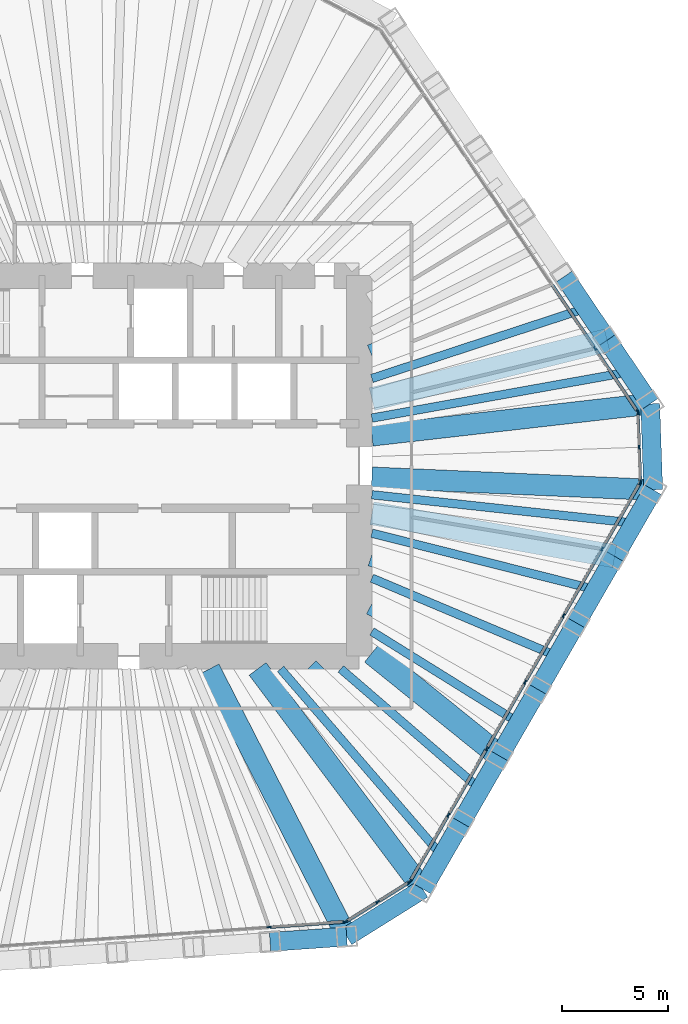
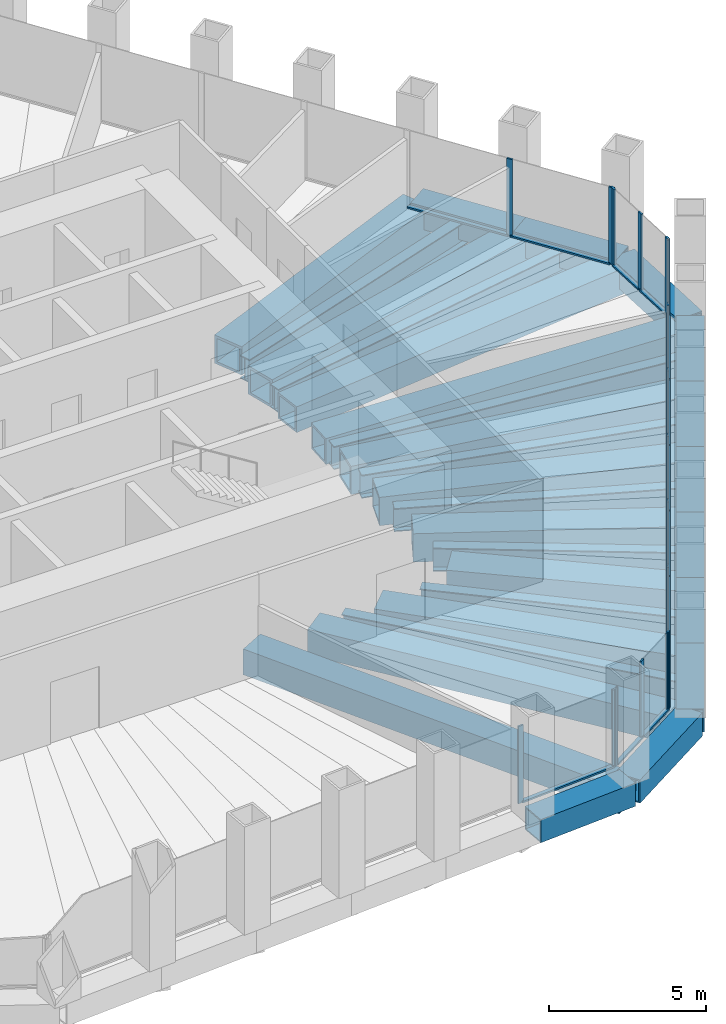
# One storey, part 4 of 12: 30 beams, 30 members, 5 elements without a shape of their own.
"""IFC4 building model written with IfcOpenShell, lengths in metres."""

from ifc_helpers import new_model, si_unit, direction, frame, origin, origin_2d, place, context, subcontext, project, spatial, rectangle, hollow_rectangle, i_section, extrude, material, material_profile, profile_set, type_object, element, aggregate, save


model = new_model("IFC4")

# Units and contexts
model_context = context("Model", 3, precision=1e-05, world=origin(), true_north=direction((0.0, 1.0)))
body_context = subcontext(model_context, "Body", "Model", "MODEL_VIEW")
ifc_project = project(units=[si_unit("LENGTHUNIT", "METRE"), si_unit("AREAUNIT", "SQUARE_METRE"), si_unit("VOLUMEUNIT", "CUBIC_METRE"), si_unit("PLANEANGLEUNIT", "RADIAN"), si_unit("MASSUNIT", "GRAM", prefix="KILO")], contexts=[model_context])

# Site, building, storey
site_placement = place(None, origin())
site = spatial("IfcSite", under=ifc_project, at=site_placement, CompositionType="ELEMENT")
building_placement = place(site_placement, origin())
building = spatial("IfcBuilding", under=site, at=building_placement, Name="Qingtian Harvest Tower", CompositionType="ELEMENT")
storey_placement = place(building_placement, frame((0.0, 0.0, 251.800048828125)))
storey = spatial("IfcBuildingStorey", under=building, at=storey_placement, Name="L55", CompositionType="ELEMENT", Elevation=251.800048828125)

# Beams
ifc_material_1 = material(Name="Steel SN490B", Category="steel")
ifc_material_profile_1 = material_profile(ifc_material_1, i_section(OverallWidth=0.39990234375, OverallDepth=0.89990234375, WebThickness=0.01904296875, FlangeThickness=0.035888671875, at=origin_2d()), Name="H900x400x19x36")
ifc_profile_set_1 = profile_set([ifc_material_profile_1], Name="Steel SN490B")
beam_type_1 = type_object("IfcBeamType", Name="Floor joist J4 H900x400x19x36", PredefinedType="JOIST", material=ifc_profile_set_1)
beam_1_placement = place(storey_placement, frame((22.71484375, 7.454833984375, -0.6201171875), z_axis=(-0.950138567513, -0.311828001508, 0.0), x_axis=(0.311828001508, -0.950138567513, 0.0)))
element("IfcBeam", 1, at=beam_1_placement, inside=storey, type_object=beam_type_1, Name="Floor joist J4 NE4", PredefinedType="JOIST", context=body_context, shape_type="SweptSolid", body=[
    extrude(i_section(OverallWidth=0.39990234375, OverallDepth=0.89990234375, WebThickness=0.01904296875, FlangeThickness=0.035888671875, at=origin_2d()), origin(), (0.0, 0.0, 1.0), 10.6455078125),
])
beam_2_placement = place(storey_placement, frame((24.74658203125, 4.4423828125, -0.6201171875), z_axis=(-0.98426723745, -0.176686177393, 0.0), x_axis=(0.176686177393, -0.98426723745, 0.0)))
element("IfcBeam", 2, at=beam_2_placement, inside=storey, type_object=beam_type_1, Name="Floor joist J4 NE5", PredefinedType="JOIST", context=body_context, shape_type="SweptSolid", body=[
    extrude(i_section(OverallWidth=0.39990234375, OverallDepth=0.89990234375, WebThickness=0.01904296875, FlangeThickness=0.035888671875, at=origin_2d()), origin(), (0.0, 0.0, 1.0), 12.340576171875),
])
beam_3_placement = place(storey_placement, frame((24.99609375, -2.705322265625, -0.6201171875), z_axis=(-0.994194656298, 0.107596400448, 0.0), x_axis=(-0.107596400448, -0.994194656298, 0.0)))
element("IfcBeam", 3, at=beam_3_placement, inside=storey, type_object=beam_type_1, Name="Floor joist J4 SE0", PredefinedType="JOIST", context=body_context, shape_type="SweptSolid", body=[
    extrude(i_section(OverallWidth=0.39990234375, OverallDepth=0.89990234375, WebThickness=0.01904296875, FlangeThickness=0.035888671875, at=origin_2d()), origin(), (0.0, 0.0, 1.0), 12.46826171875),
])
beam_4_placement = place(storey_placement, frame((23.179443359375, -5.85205078125, -0.6201171875), z_axis=(-0.969577887027, 0.244783007963, 0.0), x_axis=(-0.244783007963, -0.969577887027, 0.0)))
element("IfcBeam", 4, at=beam_4_placement, inside=storey, type_object=beam_type_1, Name="Floor joist J4 SE1", PredefinedType="JOIST", context=body_context, shape_type="SweptSolid", body=[
    extrude(i_section(OverallWidth=0.39990234375, OverallDepth=0.89990234375, WebThickness=0.01904296875, FlangeThickness=0.035888671875, at=origin_2d()), origin(), (0.0, 0.0, 1.0), 10.911376953125),
])
beam_5_placement = place(storey_placement, frame((21.362548828125, -8.998779296875, -0.6201171875), z_axis=(-0.921571079516, 0.388209666803, 0.0), x_axis=(-0.388209666803, -0.921571079516, 0.0)))
element("IfcBeam", 5, at=beam_5_placement, inside=storey, type_object=beam_type_1, Name="Floor joist J4 SE2", PredefinedType="JOIST", context=body_context, shape_type="SweptSolid", body=[
    extrude(i_section(OverallWidth=0.39990234375, OverallDepth=0.89990234375, WebThickness=0.01904296875, FlangeThickness=0.035888671875, at=origin_2d()), origin(), (0.0, 0.0, 1.0), 9.508056640625),
])
beam_6_placement = place(storey_placement, frame((19.5458984375, -12.1455078125, -0.6201171875), z_axis=(-0.849380822906, 0.527780463526, 0.0), x_axis=(-0.527780463526, -0.849380822906, 0.0)))
element("IfcBeam", 6, at=beam_6_placement, inside=storey, type_object=beam_type_1, Name="Floor joist J4 SE3", PredefinedType="JOIST", context=body_context, shape_type="SweptSolid", body=[
    extrude(i_section(OverallWidth=0.39990234375, OverallDepth=0.89990234375, WebThickness=0.01904296875, FlangeThickness=0.035888671875, at=origin_2d()), origin(), (0.0, 0.0, 1.0), 8.177490234375),
])
beam_7_placement = place(storey_placement, frame((17.72900390625, -15.292236328125, -0.6201171875), z_axis=(-0.757237954988, 0.653139096613, 0.0), x_axis=(-0.653139096613, -0.757237954988, 0.0)))
element("IfcBeam", 7, at=beam_7_placement, inside=storey, type_object=beam_type_1, Name="Floor joist J4 SE4", PredefinedType="JOIST", context=body_context, shape_type="SweptSolid", body=[
    extrude(i_section(OverallWidth=0.39990234375, OverallDepth=0.89990234375, WebThickness=0.01904296875, FlangeThickness=0.035888671875, at=origin_2d()), origin(), (0.0, 0.0, 1.0), 8.715087890625),
])
beam_8_placement = place(storey_placement, frame((15.912353515625, -18.43896484375, -0.6201171875), z_axis=(-0.653343257086, 0.757061812813, 0.0), x_axis=(-0.757061812813, -0.653343257086, 0.0)))
element("IfcBeam", 8, at=beam_8_placement, inside=storey, type_object=beam_type_1, Name="Floor joist J4 SE5", PredefinedType="JOIST", context=body_context, shape_type="SweptSolid", body=[
    extrude(i_section(OverallWidth=0.39990234375, OverallDepth=0.89990234375, WebThickness=0.01904296875, FlangeThickness=0.035888671875, at=origin_2d()), origin(), (0.0, 0.0, 1.0), 11.67529296875),
])

# Curtain wall, members
ifc_material_2 = material(Name="Bronze-anodised aluminium curtain wall", Category="aluminium")
curtain_wall_type = type_object("IfcCurtainWallType", Name="Curtain wall CW4 office", PredefinedType="USERDEFINED", material=ifc_material_2)
curtain_wall_1_placement = place(storey_placement, origin())
curtain_wall_1 = element("IfcCurtainWall", 9, at=curtain_wall_1_placement, inside=storey, type_object=curtain_wall_type, Name="Curtain wall CW4 L55 NE0-5", ObjectType="RECESSED CURTAIN WALL", PredefinedType="USERDEFINED")
ifc_material_3 = material(Name="Bronze-anodised aluminium mullion", Category="aluminium")
ifc_material_profile_2 = material_profile(ifc_material_3, rectangle(XDim=0.06494140625, YDim=0.199951171875, at=origin_2d()), Name="AL 65x200")
ifc_profile_set_2 = profile_set([ifc_material_profile_2], Name="Bronze-anodised aluminium mullion")
member_type_1 = type_object("IfcMemberType", Name="Mullion CWM 65x200", PredefinedType="MULLION", material=ifc_profile_set_2)
member_1_placement = place(storey_placement, frame((23.150390625, 5.55712890625, 0.0), z_axis=(0.0, 0.0, 1.0), x_axis=(0.829037572555, 0.559192903471, 0.0)))
member_1 = element("IfcMember", 10, at=member_1_placement, type_object=member_type_1, Name="CW4 mullion 6", PredefinedType="MULLION", context=body_context, shape_type="SweptSolid", body=[
    extrude(rectangle(XDim=0.06494140625, YDim=0.199951171875, at=origin_2d()), origin(), (0.0, 0.0, 1.0), 3.0),
])
member_2_placement = place(storey_placement, frame((25.1640625, 2.57177734375, 0.0), z_axis=(0.0, 0.0, 1.0), x_axis=(0.829037572555, 0.559192903471, 0.0)))
member_2 = element("IfcMember", 11, at=member_2_placement, type_object=member_type_1, Name="CW4 mullion 7", PredefinedType="MULLION", context=body_context, shape_type="SweptSolid", body=[
    extrude(rectangle(XDim=0.06494140625, YDim=0.199951171875, at=origin_2d()), origin(), (0.0, 0.0, 1.0), 3.0),
])

curtain_wall_2_placement = place(storey_placement, origin())
curtain_wall_2 = element("IfcCurtainWall", 12, at=curtain_wall_2_placement, inside=storey, type_object=curtain_wall_type, Name="Curtain wall CW4 L55 NEC", ObjectType="RECESSED CURTAIN WALL", PredefinedType="USERDEFINED")
member_3_placement = place(storey_placement, frame((25.183349609375, 2.51220703125, 0.0), z_axis=(0.0, 0.0, 1.0), x_axis=(0.999390827019, 0.034899496703, 0.0)))
member_3 = element("IfcMember", 13, at=member_3_placement, type_object=member_type_1, Name="CW4 mullion 1", PredefinedType="MULLION", context=body_context, shape_type="SweptSolid", body=[
    extrude(rectangle(XDim=0.06494140625, YDim=0.199951171875, at=origin_2d()), origin(), (0.0, 0.0, 1.0), 3.0),
])
member_4_placement = place(storey_placement, frame((25.240234375, 0.88134765625, 0.0), z_axis=(0.0, 0.0, 1.0), x_axis=(0.999390827019, 0.034899496703, 0.0)))
member_4 = element("IfcMember", 14, at=member_4_placement, type_object=member_type_1, Name="CW4 mullion 2", PredefinedType="MULLION", context=body_context, shape_type="SweptSolid", body=[
    extrude(rectangle(XDim=0.06494140625, YDim=0.199951171875, at=origin_2d()), origin(), (0.0, 0.0, 1.0), 3.0),
])
member_5_placement = place(storey_placement, frame((25.297119140625, -0.74951171875, 0.0), z_axis=(0.0, 0.0, 1.0), x_axis=(0.999390827019, 0.034899496703, 0.0)))
member_5 = element("IfcMember", 15, at=member_5_placement, type_object=member_type_1, Name="CW4 mullion 3", PredefinedType="MULLION", context=body_context, shape_type="SweptSolid", body=[
    extrude(rectangle(XDim=0.06494140625, YDim=0.199951171875, at=origin_2d()), origin(), (0.0, 0.0, 1.0), 3.0),
])

curtain_wall_3_placement = place(storey_placement, origin())
curtain_wall_3 = element("IfcCurtainWall", 16, at=curtain_wall_3_placement, inside=storey, type_object=curtain_wall_type, Name="Curtain wall CW4 L55 SE0-5", ObjectType="RECESSED CURTAIN WALL", PredefinedType="USERDEFINED")
member_6_placement = place(storey_placement, frame((25.2822265625, -0.81005859375, 0.0), z_axis=(0.0, 0.0, 1.0), x_axis=(0.866025403784, -0.5, 0.0)))
member_6 = element("IfcMember", 17, at=member_6_placement, type_object=member_type_1, Name="CW4 mullion 1", PredefinedType="MULLION", context=body_context, shape_type="SweptSolid", body=[
    extrude(rectangle(XDim=0.06494140625, YDim=0.199951171875, at=origin_2d()), origin(), (0.0, 0.0, 1.0), 3.0),
])
member_7_placement = place(storey_placement, frame((23.481689453125, -3.9287109375, 0.0), z_axis=(0.0, 0.0, 1.0), x_axis=(0.866025403784, -0.5, 0.0)))
member_7 = element("IfcMember", 18, at=member_7_placement, type_object=member_type_1, Name="CW4 mullion 2", PredefinedType="MULLION", context=body_context, shape_type="SweptSolid", body=[
    extrude(rectangle(XDim=0.06494140625, YDim=0.199951171875, at=origin_2d()), origin(), (0.0, 0.0, 1.0), 3.0),
])
member_8_placement = place(storey_placement, frame((21.664794921875, -7.075439453125, 0.0), z_axis=(0.0, 0.0, 1.0), x_axis=(0.866025403784, -0.5, 0.0)))
member_8 = element("IfcMember", 19, at=member_8_placement, type_object=member_type_1, Name="CW4 mullion 3", PredefinedType="MULLION", context=body_context, shape_type="SweptSolid", body=[
    extrude(rectangle(XDim=0.06494140625, YDim=0.199951171875, at=origin_2d()), origin(), (0.0, 0.0, 1.0), 3.0),
])
member_9_placement = place(storey_placement, frame((19.84814453125, -10.22216796875, 0.0), z_axis=(0.0, 0.0, 1.0), x_axis=(0.866025403784, -0.5, 0.0)))
member_9 = element("IfcMember", 20, at=member_9_placement, type_object=member_type_1, Name="CW4 mullion 4", PredefinedType="MULLION", context=body_context, shape_type="SweptSolid", body=[
    extrude(rectangle(XDim=0.06494140625, YDim=0.199951171875, at=origin_2d()), origin(), (0.0, 0.0, 1.0), 3.0),
])
member_10_placement = place(storey_placement, frame((18.03125, -13.368896484375, 0.0), z_axis=(0.0, 0.0, 1.0), x_axis=(0.866025403784, -0.5, 0.0)))
member_10 = element("IfcMember", 21, at=member_10_placement, type_object=member_type_1, Name="CW4 mullion 5", PredefinedType="MULLION", context=body_context, shape_type="SweptSolid", body=[
    extrude(rectangle(XDim=0.06494140625, YDim=0.199951171875, at=origin_2d()), origin(), (0.0, 0.0, 1.0), 3.0),
])
member_11_placement = place(storey_placement, frame((16.214599609375, -16.515625, 0.0), z_axis=(0.0, 0.0, 1.0), x_axis=(0.866025403784, -0.5, 0.0)))
member_11 = element("IfcMember", 22, at=member_11_placement, type_object=member_type_1, Name="CW4 mullion 6", PredefinedType="MULLION", context=body_context, shape_type="SweptSolid", body=[
    extrude(rectangle(XDim=0.06494140625, YDim=0.199951171875, at=origin_2d()), origin(), (0.0, 0.0, 1.0), 3.0),
])
member_12_placement = place(storey_placement, frame((14.4140625, -19.63427734375, 0.0), z_axis=(0.0, 0.0, 1.0), x_axis=(0.866025403784, -0.5, 0.0)))
member_12 = element("IfcMember", 23, at=member_12_placement, type_object=member_type_1, Name="CW4 mullion 7", PredefinedType="MULLION", context=body_context, shape_type="SweptSolid", body=[
    extrude(rectangle(XDim=0.06494140625, YDim=0.199951171875, at=origin_2d()), origin(), (0.0, 0.0, 1.0), 3.0),
])

curtain_wall_4_placement = place(storey_placement, origin())
curtain_wall_4 = element("IfcCurtainWall", 24, at=curtain_wall_4_placement, inside=storey, type_object=curtain_wall_type, Name="Curtain wall CW4 L55 SEC", ObjectType="RECESSED CURTAIN WALL", PredefinedType="USERDEFINED")
member_13_placement = place(storey_placement, frame((14.3701171875, -19.6796875, 0.0), z_axis=(0.0, 0.0, 1.0), x_axis=(0.529919264233, -0.848048096156, 0.0)))
member_13 = element("IfcMember", 25, at=member_13_placement, type_object=member_type_1, Name="CW4 mullion 1", PredefinedType="MULLION", context=body_context, shape_type="SweptSolid", body=[
    extrude(rectangle(XDim=0.06494140625, YDim=0.199951171875, at=origin_2d()), origin(), (0.0, 0.0, 1.0), 3.0),
])
member_14_placement = place(storey_placement, frame((12.87939453125, -20.611328125, 0.0), z_axis=(0.0, 0.0, 1.0), x_axis=(0.529919264233, -0.848048096156, 0.0)))
member_14 = element("IfcMember", 26, at=member_14_placement, type_object=member_type_1, Name="CW4 mullion 2", PredefinedType="MULLION", context=body_context, shape_type="SweptSolid", body=[
    extrude(rectangle(XDim=0.06494140625, YDim=0.199951171875, at=origin_2d()), origin(), (0.0, 0.0, 1.0), 3.0),
])
member_15_placement = place(storey_placement, frame((11.388427734375, -21.542724609375, 0.0), z_axis=(0.0, 0.0, 1.0), x_axis=(0.529919264233, -0.848048096156, 0.0)))
member_15 = element("IfcMember", 27, at=member_15_placement, type_object=member_type_1, Name="CW4 mullion 3", PredefinedType="MULLION", context=body_context, shape_type="SweptSolid", body=[
    extrude(rectangle(XDim=0.06494140625, YDim=0.199951171875, at=origin_2d()), origin(), (0.0, 0.0, 1.0), 3.0),
])

curtain_wall_5_placement = place(storey_placement, origin())
curtain_wall_5 = element("IfcCurtainWall", 28, at=curtain_wall_5_placement, inside=storey, type_object=curtain_wall_type, Name="Curtain wall CW4 L55 S0-5", ObjectType="RECESSED CURTAIN WALL", PredefinedType="USERDEFINED")
member_16_placement = place(storey_placement, frame((11.32861328125, -21.562255859375, 0.0), z_axis=(0.0, 0.0, 1.0), x_axis=(0.069756473744, -0.99756405026, 0.0)))
member_16 = element("IfcMember", 29, at=member_16_placement, type_object=member_type_1, Name="CW4 mullion 1", PredefinedType="MULLION", context=body_context, shape_type="SweptSolid", body=[
    extrude(rectangle(XDim=0.06494140625, YDim=0.199951171875, at=origin_2d()), origin(), (0.0, 0.0, 1.0), 3.0),
])
member_17_placement = place(storey_placement, frame((7.736328125, -21.8134765625, 0.0), z_axis=(0.0, 0.0, 1.0), x_axis=(0.069756473744, -0.99756405026, 0.0)))
member_17 = element("IfcMember", 30, at=member_17_placement, type_object=member_type_1, Name="CW4 mullion 2", PredefinedType="MULLION", context=body_context, shape_type="SweptSolid", body=[
    extrude(rectangle(XDim=0.06494140625, YDim=0.199951171875, at=origin_2d()), origin(), (0.0, 0.0, 1.0), 3.0),
])

# Beams
ifc_material_4 = material(Name="Steel SM570MC", Category="steel")
ifc_material_profile_3 = material_profile(ifc_material_4, hollow_rectangle(XDim=1.0, YDim=1.0, WallThickness=0.080078125, at=origin_2d()), Name="BOX1000x1000x80")
ifc_profile_set_3 = profile_set([ifc_material_profile_3], Name="Steel SM570MC")
beam_type_2 = type_object("IfcBeamType", Name="Transfer corner beam FB11 BOX1000x1000x80", PredefinedType="BEAM", material=ifc_profile_set_3)
beam_9_placement = place(storey_placement, frame((25.762451171875, 2.936279296875, -0.670166015625), z_axis=(-0.993566901619, -0.113246686522, 0.0), x_axis=(0.113246686522, -0.993566901619, 0.0)))
element("IfcBeam", 31, at=beam_9_placement, inside=storey, type_object=beam_type_2, Name="Floor beam FB11 NE6", PredefinedType="BEAM", context=body_context, shape_type="SweptSolid", body=[
    extrude(hollow_rectangle(XDim=1.0, YDim=1.0, WallThickness=0.080078125, at=origin_2d()), origin(), (0.0, 0.0, 1.0), 13.24755859375),
])
beam_10_placement = place(storey_placement, frame((25.904541015625, -1.1318359375, -0.670166015625), z_axis=(-0.999046865424, 0.043650437408, 0.0), x_axis=(-0.043650437408, -0.999046865424, 0.0)))
element("IfcBeam", 32, at=beam_10_placement, inside=storey, type_object=beam_type_2, Name="Floor beam FB11 SE0", PredefinedType="BEAM", context=body_context, shape_type="SweptSolid", body=[
    extrude(hollow_rectangle(XDim=1.0, YDim=1.0, WallThickness=0.080078125, at=origin_2d()), origin(), (0.0, 0.0, 1.0), 13.317138671875),
])
beam_11_placement = place(storey_placement, frame((15.00390625, -20.012451171875, -0.670166015625), z_axis=(-0.599858913609, 0.800105795357, 0.0), x_axis=(-0.800105795357, -0.599858913609, 0.0)))
element("IfcBeam", 33, at=beam_11_placement, inside=storey, type_object=beam_type_2, Name="Floor beam FB11 SE6", PredefinedType="BEAM", context=body_context, shape_type="SweptSolid", body=[
    extrude(hollow_rectangle(XDim=1.0, YDim=1.0, WallThickness=0.080078125, at=origin_2d()), origin(), (0.0, 0.0, 1.0), 13.013671875),
])
beam_12_placement = place(storey_placement, frame((11.40966796875, -22.25830078125, -0.670166015625), z_axis=(-0.456157396608, 0.889899111989, 0.0), x_axis=(-0.889899111989, -0.456157396608, 0.0)))
element("IfcBeam", 34, at=beam_12_placement, inside=storey, type_object=beam_type_2, Name="Floor beam FB11 S0", PredefinedType="BEAM", context=body_context, shape_type="SweptSolid", body=[
    extrude(hollow_rectangle(XDim=1.0, YDim=1.0, WallThickness=0.080078125, at=origin_2d()), origin(), (0.0, 0.0, 1.0), 14.224365234375),
])
ifc_material_5 = material(Name="Steel SM570MC", Category="steel")
ifc_material_profile_4 = material_profile(ifc_material_5, hollow_rectangle(XDim=1.10009765625, YDim=1.10009765625, WallThickness=0.10009765625, at=origin_2d()), Name="BOX1100x1100x100")
ifc_profile_set_4 = profile_set([ifc_material_profile_4], Name="Steel SM570MC")
beam_type_3 = type_object("IfcBeamType", Name="Transfer floor beam FB9 BOX1100x1100x100", PredefinedType="BEAM", material=ifc_profile_set_4)
beam_13_placement = place(storey_placement, frame((21.69873046875, 8.9609375, -0.719970703125), z_axis=(-0.924281590361, -0.381711332973, 0.0), x_axis=(0.381711332973, -0.924281590361, 0.0)))
element("IfcBeam", 35, at=beam_13_placement, inside=storey, type_object=beam_type_3, Name="Floor beam FB9 NE4", PredefinedType="BEAM", context=body_context, shape_type="SweptSolid", body=[
    extrude(hollow_rectangle(XDim=1.10009765625, YDim=1.10009765625, WallThickness=0.10009765625, at=origin_2d()), origin(), (0.0, 0.0, 1.0), 9.843994140625),
])
beam_14_placement = place(storey_placement, frame((23.730712890625, 5.948486328125, -0.719970703125), z_axis=(-0.969990876487, -0.243141315972, 0.0), x_axis=(0.243141315972, -0.969990876487, 0.0)))
element("IfcBeam", 36, at=beam_14_placement, inside=storey, type_object=beam_type_3, Name="Floor beam FB9 NE5", PredefinedType="BEAM", context=body_context, shape_type="SweptSolid", body=[
    extrude(hollow_rectangle(XDim=1.10009765625, YDim=1.10009765625, WallThickness=0.10009765625, at=origin_2d()), origin(), (0.0, 0.0, 1.0), 11.474853515625),
])
beam_15_placement = place(storey_placement, frame((24.087890625, -4.27880859375, -0.719970703125), z_axis=(-0.98458469654, 0.174908477034, 0.0), x_axis=(-0.174908477034, -0.98458469654, 0.0)))
element("IfcBeam", 37, at=beam_15_placement, inside=storey, type_object=beam_type_3, Name="Floor beam FB9 SE1", PredefinedType="BEAM", context=body_context, shape_type="SweptSolid", body=[
    extrude(hollow_rectangle(XDim=1.10009765625, YDim=1.10009765625, WallThickness=0.10009765625, at=origin_2d()), origin(), (0.0, 0.0, 1.0), 11.667724609375),
])
beam_16_placement = place(storey_placement, frame((22.27099609375, -7.425537109375, -0.719970703125), z_axis=(-0.948654555734, 0.316313979908, 0.0), x_axis=(-0.316313979908, -0.948654555734, 0.0)))
element("IfcBeam", 38, at=beam_16_placement, inside=storey, type_object=beam_type_3, Name="Floor beam FB9 SE2", PredefinedType="BEAM", context=body_context, shape_type="SweptSolid", body=[
    extrude(hollow_rectangle(XDim=1.10009765625, YDim=1.10009765625, WallThickness=0.10009765625, at=origin_2d()), origin(), (0.0, 0.0, 1.0), 10.1943359375),
])
beam_17_placement = place(storey_placement, frame((20.454345703125, -10.572265625, -0.719970703125), z_axis=(-0.888343501027, 0.459179511938, 0.0), x_axis=(-0.459179511938, -0.888343501027, 0.0)))
element("IfcBeam", 39, at=beam_17_placement, inside=storey, type_object=beam_type_3, Name="Floor beam FB9 SE3", PredefinedType="BEAM", context=body_context, shape_type="SweptSolid", body=[
    extrude(hollow_rectangle(XDim=1.10009765625, YDim=1.10009765625, WallThickness=0.10009765625, at=origin_2d()), origin(), (0.0, 0.0, 1.0), 8.841552734375),
])
beam_18_placement = place(storey_placement, frame((18.637451171875, -13.718994140625, -0.719970703125), z_axis=(-0.77840907003, 0.62775737327, 0.0), x_axis=(-0.62775737327, -0.77840907003, 0.0)))
element("IfcBeam", 40, at=beam_18_placement, inside=storey, type_object=beam_type_3, Name="Floor beam FB9 SE4", PredefinedType="BEAM", context=body_context, shape_type="SweptSolid", body=[
    extrude(hollow_rectangle(XDim=1.10009765625, YDim=1.10009765625, WallThickness=0.10009765625, at=origin_2d()), origin(), (0.0, 0.0, 1.0), 7.756103515625),
])
beam_19_placement = place(storey_placement, frame((16.82080078125, -16.86572265625, -0.719970703125), z_axis=(-0.70616637797, 0.708045935392, 0.0), x_axis=(-0.708045935392, -0.70616637797, 0.0)))
element("IfcBeam", 41, at=beam_19_placement, inside=storey, type_object=beam_type_3, Name="Floor beam FB9 SE5", PredefinedType="BEAM", context=body_context, shape_type="SweptSolid", body=[
    extrude(hollow_rectangle(XDim=1.10009765625, YDim=1.10009765625, WallThickness=0.10009765625, at=origin_2d()), origin(), (0.0, 0.0, 1.0), 10.261474609375),
])
ifc_material_6 = material(Name="Steel SM570MC", Category="steel")
ifc_material_profile_5 = material_profile(ifc_material_6, hollow_rectangle(XDim=0.89990234375, YDim=0.89990234375, WallThickness=0.050048828125, at=origin_2d()), Name="BOX900x900x50")
ifc_profile_set_5 = profile_set([ifc_material_profile_5], Name="Steel SM570MC")
beam_type_4 = type_object("IfcBeamType", Name="Transition spandrel SB6 BOX900x900x50", PredefinedType="SPANDREL", material=ifc_profile_set_5)
beam_20_placement = place(storey_placement, frame((21.69873046875, 8.9609375, -0.449951171875), z_axis=(0.55920395902, -0.829030115385, 0.0), x_axis=(0.829030115385, 0.55920395902, 0.0)))
element("IfcBeam", 42, at=beam_20_placement, inside=storey, type_object=beam_type_4, Name="Spandrel SB6 NE4", PredefinedType="SPANDREL", context=body_context, shape_type="SweptSolid", body=[
    extrude(hollow_rectangle(XDim=0.89990234375, YDim=0.89990234375, WallThickness=0.050048828125, at=origin_2d()), origin(), (0.0, 0.0, 1.0), 3.6337890625),
])
beam_21_placement = place(storey_placement, frame((23.730712890625, 5.948486328125, -0.449951171875), z_axis=(0.559188928021, -0.829040254016, 0.0), x_axis=(0.829040254016, 0.559188928021, 0.0)))
element("IfcBeam", 43, at=beam_21_placement, inside=storey, type_object=beam_type_4, Name="Spandrel SB6 NE5", PredefinedType="SPANDREL", context=body_context, shape_type="SweptSolid", body=[
    extrude(hollow_rectangle(XDim=0.89990234375, YDim=0.89990234375, WallThickness=0.050048828125, at=origin_2d()), origin(), (0.0, 0.0, 1.0), 3.63330078125),
])
beam_22_placement = place(storey_placement, frame((25.762451171875, 2.936279296875, -0.449951171875), z_axis=(0.03490639867, -0.999390585973, 0.0), x_axis=(0.999390585973, 0.03490639867, 0.0)))
element("IfcBeam", 44, at=beam_22_placement, inside=storey, type_object=beam_type_4, Name="Spandrel SB6 NEC", PredefinedType="SPANDREL", context=body_context, shape_type="SweptSolid", body=[
    extrude(hollow_rectangle(XDim=0.89990234375, YDim=0.89990234375, WallThickness=0.050048828125, at=origin_2d()), origin(), (0.0, 0.0, 1.0), 4.070556640625),
])
beam_23_placement = place(storey_placement, frame((25.904541015625, -1.1318359375, -0.449951171875), z_axis=(-0.499947341849, -0.866055803848, 0.0), x_axis=(0.866055803848, -0.499947341849, 0.0)))
element("IfcBeam", 45, at=beam_23_placement, inside=storey, type_object=beam_type_4, Name="Spandrel SB6 SE0", PredefinedType="SPANDREL", context=body_context, shape_type="SweptSolid", body=[
    extrude(hollow_rectangle(XDim=0.89990234375, YDim=0.89990234375, WallThickness=0.050048828125, at=origin_2d()), origin(), (0.0, 0.0, 1.0), 3.6337890625),
])
for number, where, z_axis, x_axis, name in (
    (46, (24.087890625, -4.27880859375, -0.449951171875), (-0.500026827678, -0.866009914263, 0.0), (0.866009914263, -0.500026827678, 0.0), "Spandrel SB6 SE1"),
    (47, (22.27099609375, -7.425537109375, -0.449951171875), (-0.499976434558, -0.866039008871, 0.0), (0.866039008871, -0.499976434558, 0.0), "Spandrel SB6 SE2"),
    (48, (20.454345703125, -10.572265625, -0.449951171875), (-0.500026827678, -0.866009914263, 0.0), (0.866009914263, -0.500026827678, 0.0), "Spandrel SB6 SE3"),
    (49, (18.637451171875, -13.718994140625, -0.449951171875), (-0.499976434558, -0.866039008871, 0.0), (0.866039008871, -0.499976434558, 0.0), "Spandrel SB6 SE4"),
    (50, (16.82080078125, -16.86572265625, -0.449951171875), (-0.500026827678, -0.866009914263, 0.0), (0.866009914263, -0.500026827678, 0.0), "Spandrel SB6 SE5"),
):
    element("IfcBeam", number, at=place(storey_placement, frame(where, z_axis=z_axis, x_axis=x_axis)), inside=storey, type_object=beam_type_4, Name=name, PredefinedType="SPANDREL", context=body_context, shape_type="SweptSolid", body=[
        extrude(hollow_rectangle(XDim=0.89990234375, YDim=0.89990234375, WallThickness=0.050048828125, at=origin_2d()), origin(), (0.0, 0.0, 1.0), 3.633544921875),
    ])
beam_24_placement = place(storey_placement, frame((15.00390625, -20.012451171875, -0.449951171875), z_axis=(-0.848056550838, -0.529905733675, 0.0), x_axis=(0.529905733675, -0.848056550838, 0.0)))
element("IfcBeam", 51, at=beam_24_placement, inside=storey, type_object=beam_type_4, Name="Spandrel SB6 SEC", PredefinedType="SPANDREL", context=body_context, shape_type="SweptSolid", body=[
    extrude(hollow_rectangle(XDim=0.89990234375, YDim=0.89990234375, WallThickness=0.050048828125, at=origin_2d()), origin(), (0.0, 0.0, 1.0), 4.23828125),
])
beam_25_placement = place(storey_placement, frame((11.40966796875, -22.25830078125, -0.449951171875), z_axis=(-0.997564674207, -0.069747550305, 0.0), x_axis=(0.069747550305, -0.997564674207, 0.0)))
element("IfcBeam", 52, at=beam_25_placement, inside=storey, type_object=beam_type_4, Name="Spandrel SB6 S0", PredefinedType="SPANDREL", context=body_context, shape_type="SweptSolid", body=[
    extrude(hollow_rectangle(XDim=0.89990234375, YDim=0.89990234375, WallThickness=0.050048828125, at=origin_2d()), origin(), (0.0, 0.0, 1.0), 3.63330078125),
])

# Member
ifc_material_7 = material(Name="Bronze-anodised aluminium transom", Category="aluminium")
ifc_material_profile_6 = material_profile(ifc_material_7, rectangle(XDim=0.14990234375, YDim=0.06494140625, at=origin_2d()), Name="AL 65x150")
ifc_profile_set_6 = profile_set([ifc_material_profile_6], Name="Bronze-anodised aluminium transom")
member_type_2 = type_object("IfcMemberType", Name="Transom CWT 65x150", PredefinedType="USERDEFINED", material=ifc_profile_set_6)
member_18_placement = place(storey_placement, frame((21.13671875, 8.54248046875, 0.032470703125), z_axis=(0.559160259871, -0.829059590006, 0.0), x_axis=(0.829059590006, 0.559160259871, 0.0)))
member_18 = element("IfcMember", 53, at=member_18_placement, type_object=member_type_2, Name="CW4 transom 5.1", ObjectType="TRANSOM", PredefinedType="USERDEFINED", context=body_context, shape_type="SweptSolid", body=[
    extrude(rectangle(XDim=0.14990234375, YDim=0.06494140625, at=origin_2d()), origin(), (0.0, 0.0, 1.0), 3.568603515625),
])

member_19_placement = place(storey_placement, frame((23.16845703125, 5.5302734375, 0.032470703125), z_axis=(0.559169259008, -0.829053520456, 0.0), x_axis=(0.829053520456, 0.559169259008, 0.0)))
member_19 = element("IfcMember", 54, at=member_19_placement, type_object=member_type_2, Name="CW4 transom 6.1", ObjectType="TRANSOM", PredefinedType="USERDEFINED", context=body_context, shape_type="SweptSolid", body=[
    extrude(rectangle(XDim=0.14990234375, YDim=0.06494140625, at=origin_2d()), origin(), (0.0, 0.0, 1.0), 3.5361328125),
])

aggregate(curtain_wall_1, [member_1, member_2, member_18, member_19])

member_20_placement = place(storey_placement, frame((25.1845703125, 2.479736328125, 0.032470703125), z_axis=(0.034902326647, -0.999390728191, 0.0), x_axis=(0.999390728191, 0.034902326647, 0.0)))
member_20 = element("IfcMember", 55, at=member_20_placement, type_object=member_type_2, Name="CW4 transom 1.1", ObjectType="TRANSOM", PredefinedType="USERDEFINED", context=body_context, shape_type="SweptSolid", body=[
    extrude(rectangle(XDim=0.14990234375, YDim=0.06494140625, at=origin_2d()), origin(), (0.0, 0.0, 1.0), 1.56689453125),
])

member_21_placement = place(storey_placement, frame((25.241455078125, 0.848876953125, 0.032470703125), z_axis=(0.034902326647, -0.999390728191, 0.0), x_axis=(0.999390728191, 0.034902326647, 0.0)))
member_21 = element("IfcMember", 56, at=member_21_placement, type_object=member_type_2, Name="CW4 transom 2.1", ObjectType="TRANSOM", PredefinedType="USERDEFINED", context=body_context, shape_type="SweptSolid", body=[
    extrude(rectangle(XDim=0.14990234375, YDim=0.06494140625, at=origin_2d()), origin(), (0.0, 0.0, 1.0), 1.56689453125),
])

aggregate(curtain_wall_2, [member_3, member_4, member_5, member_20, member_21])

member_22_placement = place(storey_placement, frame((25.265869140625, -0.838134765625, 0.032470703125), z_axis=(-0.499985409597, -0.866033827394, 0.0), x_axis=(0.866033827394, -0.499985409597, 0.0)))
member_22 = element("IfcMember", 57, at=member_22_placement, type_object=member_type_2, Name="CW4 transom 1.1", ObjectType="TRANSOM", PredefinedType="USERDEFINED", context=body_context, shape_type="SweptSolid", body=[
    extrude(rectangle(XDim=0.14990234375, YDim=0.06494140625, at=origin_2d()), origin(), (0.0, 0.0, 1.0), 3.5361328125),
])

member_23_placement = place(storey_placement, frame((23.46533203125, -3.956787109375, 0.032470703125), z_axis=(-0.499965259726, -0.866045460162, 0.0), x_axis=(0.866045460162, -0.499965259726, 0.0)))
member_23 = element("IfcMember", 58, at=member_23_placement, type_object=member_type_2, Name="CW4 transom 2.1", ObjectType="TRANSOM", PredefinedType="USERDEFINED", context=body_context, shape_type="SweptSolid", body=[
    extrude(rectangle(XDim=0.14990234375, YDim=0.06494140625, at=origin_2d()), origin(), (0.0, 0.0, 1.0), 3.568603515625),
])

member_24_placement = place(storey_placement, frame((21.648681640625, -7.103515625, 0.032470703125), z_axis=(-0.500016569533, -0.866015837149, 0.0), x_axis=(0.866015837149, -0.500016569533, 0.0)))
member_24 = element("IfcMember", 59, at=member_24_placement, type_object=member_type_2, Name="CW4 transom 3.1", ObjectType="TRANSOM", PredefinedType="USERDEFINED", context=body_context, shape_type="SweptSolid", body=[
    extrude(rectangle(XDim=0.14990234375, YDim=0.06494140625, at=origin_2d()), origin(), (0.0, 0.0, 1.0), 3.56884765625),
])

member_25_placement = place(storey_placement, frame((19.831787109375, -10.250244140625, 0.032470703125), z_axis=(-0.499965259726, -0.866045460162, 0.0), x_axis=(0.866045460162, -0.499965259726, 0.0)))
member_25 = element("IfcMember", 60, at=member_25_placement, type_object=member_type_2, Name="CW4 transom 4.1", ObjectType="TRANSOM", PredefinedType="USERDEFINED", context=body_context, shape_type="SweptSolid", body=[
    extrude(rectangle(XDim=0.14990234375, YDim=0.06494140625, at=origin_2d()), origin(), (0.0, 0.0, 1.0), 3.568603515625),
])

member_26_placement = place(storey_placement, frame((18.014892578125, -13.39697265625, 0.032470703125), z_axis=(-0.499965259726, -0.866045460162, 0.0), x_axis=(0.866045460162, -0.499965259726, 0.0)))
member_26 = element("IfcMember", 61, at=member_26_placement, type_object=member_type_2, Name="CW4 transom 5.1", ObjectType="TRANSOM", PredefinedType="USERDEFINED", context=body_context, shape_type="SweptSolid", body=[
    extrude(rectangle(XDim=0.14990234375, YDim=0.06494140625, at=origin_2d()), origin(), (0.0, 0.0, 1.0), 3.568603515625),
])

member_27_placement = place(storey_placement, frame((16.1982421875, -16.5439453125, 0.032470703125), z_axis=(-0.500015305566, -0.866016566931, 0.0), x_axis=(0.866016566931, -0.500015305566, 0.0)))
member_27 = element("IfcMember", 62, at=member_27_placement, type_object=member_type_2, Name="CW4 transom 6.1", ObjectType="TRANSOM", PredefinedType="USERDEFINED", context=body_context, shape_type="SweptSolid", body=[
    extrude(rectangle(XDim=0.14990234375, YDim=0.06494140625, at=origin_2d()), origin(), (0.0, 0.0, 1.0), 3.5361328125),
])

aggregate(curtain_wall_3, [member_6, member_7, member_8, member_9, member_10, member_11, member_12, member_22, member_23, member_24, member_25, member_26, member_27])

member_28_placement = place(storey_placement, frame((14.342529296875, -19.69677734375, 0.032470703125), z_axis=(-0.847998304005, -0.529998940003, 0.0), x_axis=(0.529998940003, -0.847998304005, 0.0)))
member_28 = element("IfcMember", 63, at=member_28_placement, type_object=member_type_2, Name="CW4 transom 1.1", ObjectType="TRANSOM", PredefinedType="USERDEFINED", context=body_context, shape_type="SweptSolid", body=[
    extrude(rectangle(XDim=0.14990234375, YDim=0.06494140625, at=origin_2d()), origin(), (0.0, 0.0, 1.0), 1.69287109375),
])

member_29_placement = place(storey_placement, frame((12.851806640625, -20.62841796875, 0.032470703125), z_axis=(-0.84803880708, -0.529934129573, 0.0), x_axis=(0.529934129573, -0.84803880708, 0.0)))
member_29 = element("IfcMember", 64, at=member_29_placement, type_object=member_type_2, Name="CW4 transom 2.1", ObjectType="TRANSOM", PredefinedType="USERDEFINED", context=body_context, shape_type="SweptSolid", body=[
    extrude(rectangle(XDim=0.14990234375, YDim=0.06494140625, at=origin_2d()), origin(), (0.0, 0.0, 1.0), 1.693115234375),
])

aggregate(curtain_wall_4, [member_13, member_14, member_15, member_28, member_29])

member_30_placement = place(storey_placement, frame((11.296142578125, -21.564453125, 0.032470703125), z_axis=(-0.997561034679, -0.069799585166, 0.0), x_axis=(0.069799585166, -0.997561034679, 0.0)))
member_30 = element("IfcMember", 65, at=member_30_placement, type_object=member_type_2, Name="CW4 transom 1.1", ObjectType="TRANSOM", PredefinedType="USERDEFINED", context=body_context, shape_type="SweptSolid", body=[
    extrude(rectangle(XDim=0.14990234375, YDim=0.06494140625, at=origin_2d()), origin(), (0.0, 0.0, 1.0), 3.5361328125),
])

aggregate(curtain_wall_5, [member_16, member_17, member_30])

save(model, "model.ifc")
